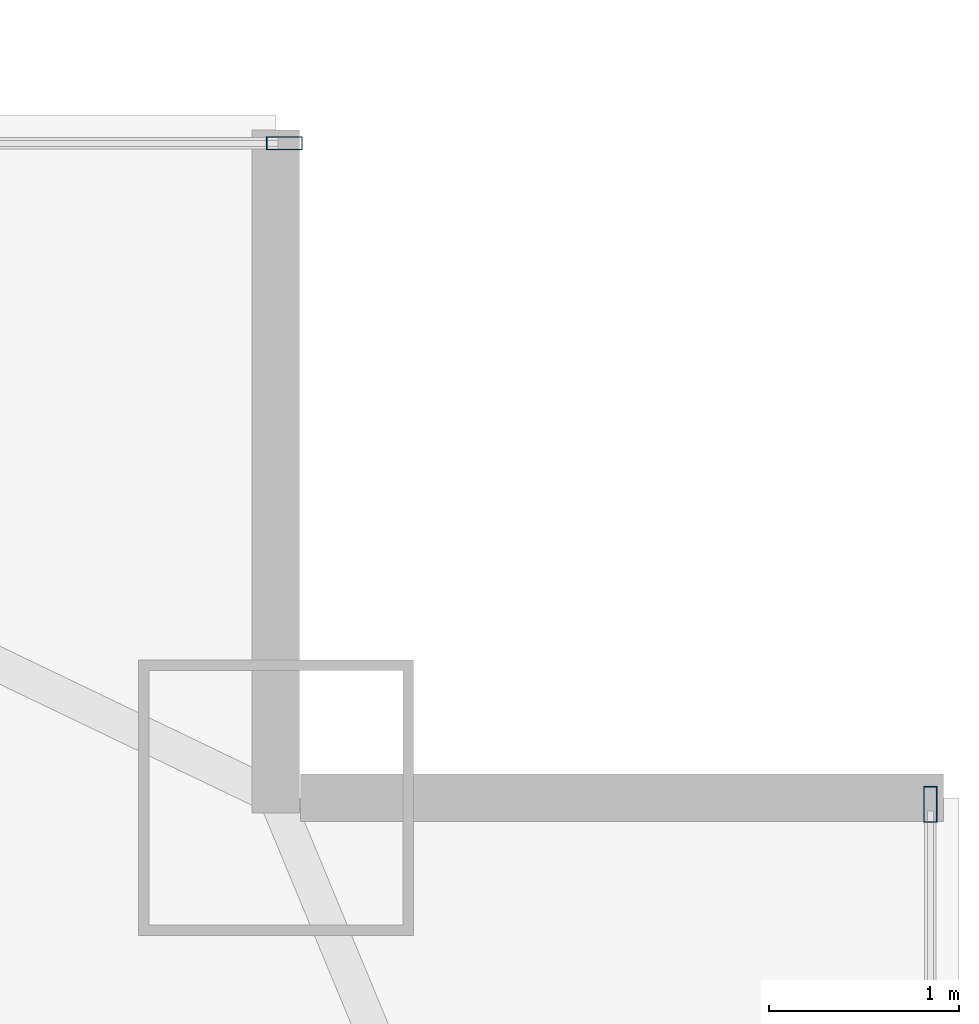
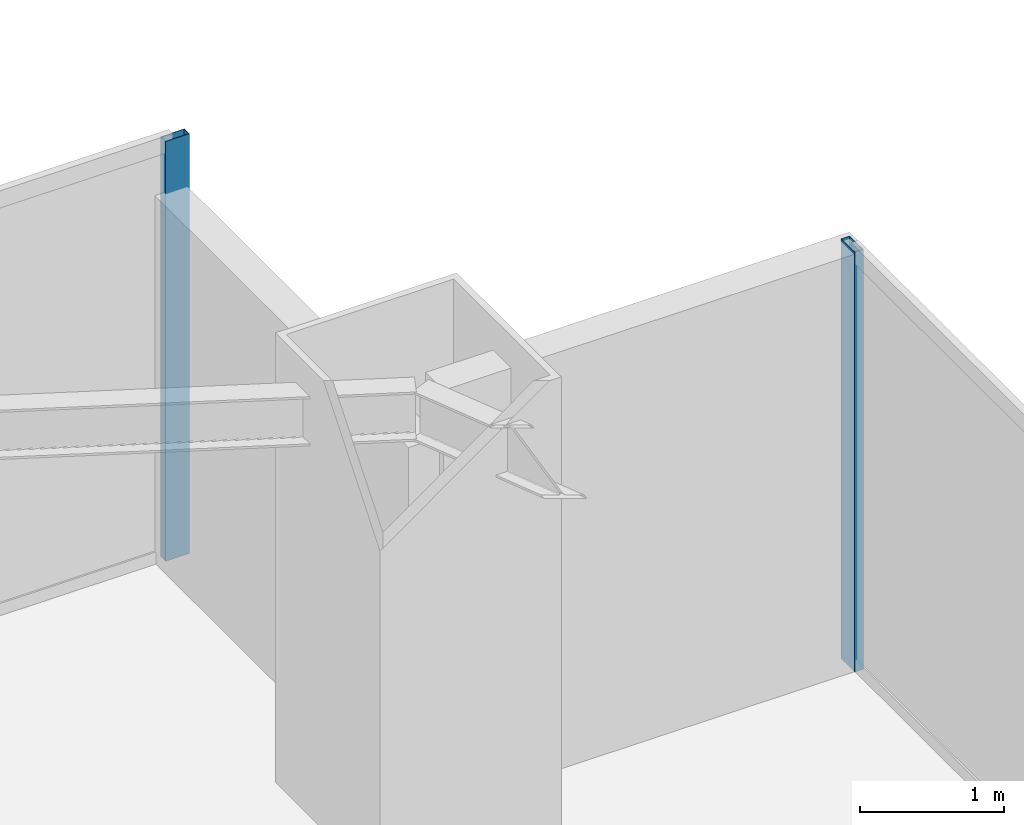
# One storey, part 28 of 38: 2 members, 2 elements without a shape of their own.
"""IFC4 building model written with IfcOpenShell, lengths in metres."""

from ifc_helpers import new_model, si_unit, direction, frame, origin, origin_2d, place, context, subcontext, project, spatial, hollow_rectangle, extrude, source, transform, mapped, material, layer, layer_set, material_profile, profile_set, type_object, type_shapes, element, aggregate, save


model = new_model("IFC4")

# Units and contexts
model_context = context("Model", 3, precision=1e-05, world=origin(), true_north=direction((0.0, 1.0)))
body_context = subcontext(model_context, "Body", "Model", "MODEL_VIEW")
ifc_project = project(units=[si_unit("LENGTHUNIT", "METRE"), si_unit("AREAUNIT", "SQUARE_METRE"), si_unit("VOLUMEUNIT", "CUBIC_METRE"), si_unit("PLANEANGLEUNIT", "RADIAN"), si_unit("MASSUNIT", "GRAM", prefix="KILO")], contexts=[model_context])

# Site, building, storey
site_placement = place(None, origin())
site = spatial("IfcSite", under=ifc_project, at=site_placement, CompositionType="ELEMENT")
building_placement = place(site_placement, origin())
building = spatial("IfcBuilding", under=site, at=building_placement, Name="Varnel Quay Broadcast Tower", CompositionType="ELEMENT")
storey_placement = place(building_placement, frame((0.0, 0.0, 118.199951171875)))
storey = spatial("IfcBuildingStorey", under=building, at=storey_placement, Name="L28", CompositionType="ELEMENT", Elevation=118.199951171875)

# Curtain wall, member
ifc_material = material(Name="Anodised Bronze Aluminium 6063-T6", Category="aluminium")
ifc_layer = layer(ifc_material, 0.18994140625, Name="Anodised Bronze Aluminium 6063-T6")
ifc_layer_set = layer_set([ifc_layer], Name="Anodised Bronze Aluminium 6063-T6")
curtain_wall_type = type_object("IfcCurtainWallType", Name="CW_LowerTower", PredefinedType="NOTDEFINED", material=ifc_layer_set)
curtain_wall_1_placement = place(storey_placement, origin())
curtain_wall_1 = element("IfcCurtainWall", 1, at=curtain_wall_1_placement, inside=storey, type_object=curtain_wall_type, Name="L28 East Unitised Curtain Wall", PredefinedType="NOTDEFINED")
ifc_material_profile = material_profile(ifc_material, hollow_rectangle(XDim=0.070068359375, YDim=0.18994140625, WallThickness=0.00390625, at=origin_2d()), Name="ALU70X190X4")
ifc_profile_set = profile_set([ifc_material_profile], Name="Anodised Bronze Aluminium 6063-T6")
member_type = type_object("IfcMemberType", Name="Mull_CWS-02", PredefinedType="MULLION", material=ifc_profile_set)
shared_shape = source(origin(), body_context, "Body", "SweptSolid", [
    extrude(hollow_rectangle(XDim=0.070068359375, YDim=0.18994140625, WallThickness=0.00390625, at=origin_2d()), origin(), (0.0, 0.0, 1.0), 3.550048828125),
])
type_shapes(member_type, [shared_shape])
member_1_placement = place(storey_placement, frame((63.35009765625, 43.1650390625, 0.0), z_axis=(0.0, 0.0, 1.0), x_axis=(-1.0, 0.0, 0.0)))
member_1 = element("IfcMember", 2, at=member_1_placement, type_object=member_type, Name="CWS-02 mullion 4", PredefinedType="MULLION", context=body_context, shape_type="MappedRepresentation", body=[
    mapped(shared_shape, transform((0.0, 0.0, 0.0), x_axis=(1.0, 0.0, 0.0), y_axis=(0.0, 1.0, 0.0), z_axis=(0.0, 0.0, 1.0), scale=1.0)),
])
aggregate(curtain_wall_1, [member_1])

curtain_wall_2_placement = place(storey_placement, origin())
curtain_wall_2 = element("IfcCurtainWall", 3, at=curtain_wall_2_placement, inside=storey, type_object=curtain_wall_type, Name="L28 NE Wing Curtain Wall", PredefinedType="NOTDEFINED")
member_2_placement = place(storey_placement, frame((59.945068359375, 46.64990234375, 0.0), z_axis=(0.0, 0.0, 1.0), x_axis=(0.0, 1.0, 0.0)))
member_2 = element("IfcMember", 4, at=member_2_placement, type_object=member_type, Name="CWS-02 mullion 2", PredefinedType="MULLION", context=body_context, shape_type="MappedRepresentation", body=[
    mapped(shared_shape, transform((0.0, 0.0, 0.0), x_axis=(1.0, 0.0, 0.0), y_axis=(0.0, 1.0, 0.0), z_axis=(0.0, 0.0, 1.0), scale=1.0)),
])
aggregate(curtain_wall_2, [member_2])

save(model, "model.ifc")
